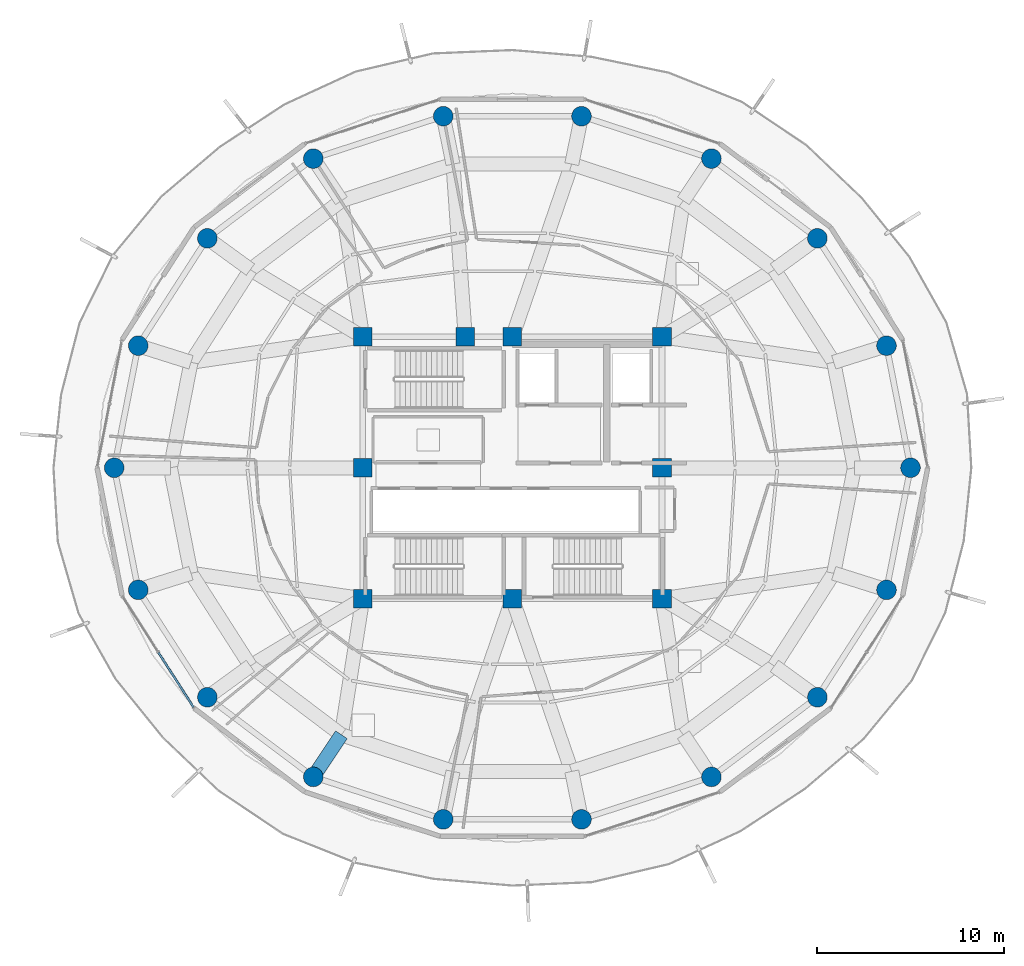
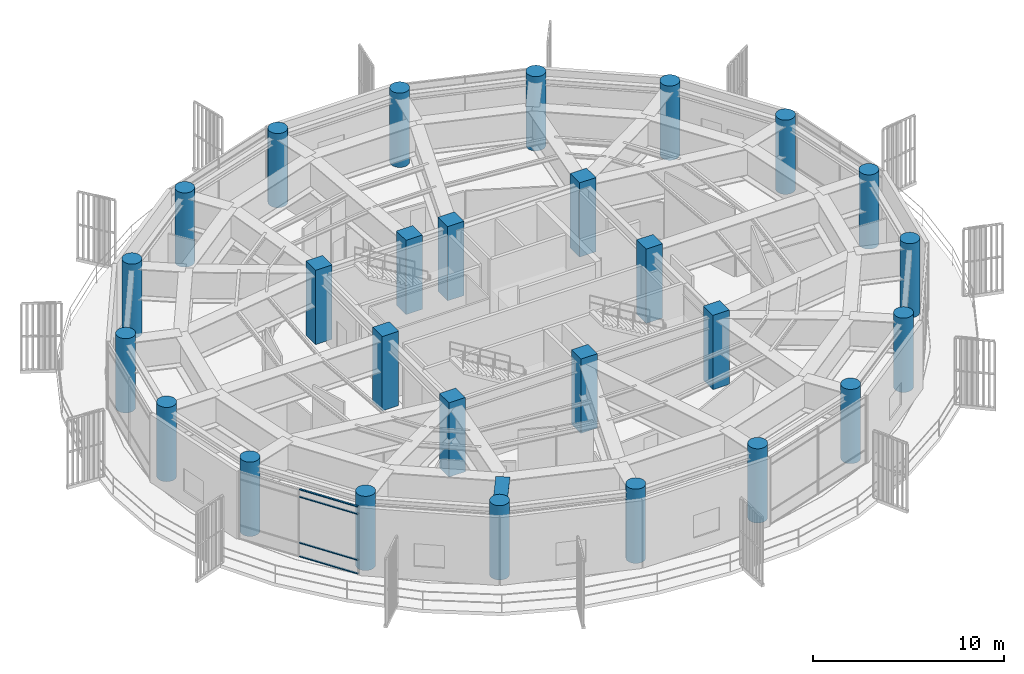
# One storey, part 1 of 29: 27 columns, 4 members, 1 beam, 1 element without a shape of its own.
"""IFC4 building model written with IfcOpenShell, lengths in metres."""

import ifcopenshell
import ifcopenshell.guid

model = None  # the IFC model being written
_history = None  # IfcOwnerHistory: only IFC2X3 demands one
_inside = {}  # id of a spatial element -> (the spatial element, [elements in it])
_under = {}  # id of a project, library or spatial element -> (it, [spatial elements below it])
_declared = {}  # id of a project -> (the project, [libraries it declares])
_typed = {}  # id of a type object -> (the type object, [elements of that type])
_made_of = {}  # id of a material, layer set ... -> (it, [elements and type objects made of it])


def new_model(schema):
    """Start an empty IFC model of exactly this schema.

    Asked for "IFC4X3", IfcOpenShell would pick the latest addendum, in which some entities
    have other attributes; the version numbers below select the first issue.
    IFC2X3 requires an IfcOwnerHistory on every rooted entity: one is made here for all.
    """
    global model, _history
    if schema == "IFC4X3":
        model = ifcopenshell.file(schema_version=(4, 3, 0, 0))
    else:
        model = ifcopenshell.file(schema=schema)
    _inside.clear()
    _under.clear()
    _declared.clear()
    _typed.clear()
    _made_of.clear()
    _history = None
    if model.schema == "IFC2X3":
        org = make("IfcOrganization", Name="unknown")
        user = make(
            "IfcPersonAndOrganization",
            ThePerson=make("IfcPerson", FamilyName="unknown"),
            TheOrganization=org,
        )
        app = make(
            "IfcApplication",
            ApplicationDeveloper=org,
            Version="unknown",
            ApplicationFullName="unknown",
            ApplicationIdentifier="unknown",
        )
        _history = make(
            "IfcOwnerHistory",
            OwningUser=user,
            OwningApplication=app,
            ChangeAction="ADDED",
            CreationDate=0,
        )
    return model


def make(cls, **values):
    """One entity of the class cls with the attributes given. An attribute that is None is left unset."""
    return model.create_entity(
        cls, **{name: value for name, value in values.items() if value is not None}
    )


def rooted(cls, **values):
    """An entity with a GlobalId (a new one), such as an element, a storey or a relation."""
    return make(cls, GlobalId=ifcopenshell.guid.new(), OwnerHistory=_history, **values)


def si_unit(unit_type, name, prefix=None):
    """IfcSIUnit, for example si_unit("LENGTHUNIT", "METRE", prefix="MILLI")."""
    return make("IfcSIUnit", UnitType=unit_type, Prefix=prefix, Name=name)


def assignment(units):
    """IfcUnitAssignment: the units of a project."""
    return None if units is None else make("IfcUnitAssignment", Units=units)


def point(xyz):
    """IfcCartesianPoint."""
    return None if xyz is None else make("IfcCartesianPoint", Coordinates=xyz)


def direction(xyz):
    """IfcDirection."""
    return None if xyz is None else make("IfcDirection", DirectionRatios=xyz)


def frame(location, z_axis=None, x_axis=None):
    """IfcAxis2Placement3D, a coordinate frame: its origin and axes. An axis left out is left unset."""
    return make(
        "IfcAxis2Placement3D",
        Location=point(location),
        Axis=direction(z_axis),
        RefDirection=direction(x_axis),
    )


def frame_2d(location, x_axis=None):
    """IfcAxis2Placement2D, a coordinate frame in the plane: its origin and x axis."""
    return make(
        "IfcAxis2Placement2D", Location=point(location), RefDirection=direction(x_axis)
    )


def origin():
    """The frame at (0, 0, 0) with its axes left unset."""
    return frame((0.0, 0.0, 0.0))


def origin_2d():
    """The frame at (0, 0) in the plane with its x axis left unset."""
    return frame_2d((0.0, 0.0))


def place(relative_to, where):
    """IfcLocalPlacement: puts the frame where relative to a parent placement (None: the world)."""
    return make(
        "IfcLocalPlacement", PlacementRelTo=relative_to, RelativePlacement=where
    )


def context(
    kind, dimensions, precision=None, world=None, true_north=None, identifier=None
):
    """IfcGeometricRepresentationContext, for example the 3D "Model" context."""
    return make(
        "IfcGeometricRepresentationContext",
        ContextIdentifier=identifier,
        ContextType=kind,
        CoordinateSpaceDimension=dimensions,
        Precision=precision,
        WorldCoordinateSystem=world,
        TrueNorth=true_north,
    )


def subcontext(parent, identifier, kind, view, scale=None):
    """IfcGeometricRepresentationSubContext, for example "Body" below "Model"."""
    return make(
        "IfcGeometricRepresentationSubContext",
        ContextIdentifier=identifier,
        ContextType=kind,
        ParentContext=parent,
        TargetScale=scale,
        TargetView=view,
    )


def project(units=None, contexts=None):
    """IfcProject with its units and contexts."""
    return rooted(
        "IfcProject",
        Name="project",
        RepresentationContexts=contexts,
        UnitsInContext=assignment(units),
    )


def spatial(cls, under=None, at=None, **own):
    """A site, building, storey or space (cls), placed at a placement, below another one or the project."""
    s = rooted(cls, ObjectPlacement=at, **own)
    if under is not None:
        _under.setdefault(under.id(), (under, []))[1].append(s)
    return s


def profile(cls, at=None, kind="AREA", **sizes):
    """A parametric profile (cls). Its sizes go by their IFC names, for example OverallWidth=200.0."""
    return make(cls, ProfileType=kind, Position=at, **sizes)


def rectangle(**sizes):
    """IfcRectangleProfileDef."""
    return profile("IfcRectangleProfileDef", **sizes)


def hollow_rectangle(**sizes):
    """IfcRectangleHollowProfileDef."""
    return profile("IfcRectangleHollowProfileDef", **sizes)


def circle(**sizes):
    """IfcCircleProfileDef."""
    return profile("IfcCircleProfileDef", **sizes)


def i_section(**sizes):
    """IfcIShapeProfileDef."""
    return profile("IfcIShapeProfileDef", **sizes)


def extrude(swept, where, along, depth):
    """IfcExtrudedAreaSolid: the profile swept, set in the frame where, extruded along a direction by depth."""
    return make(
        "IfcExtrudedAreaSolid",
        SweptArea=swept,
        Position=where,
        ExtrudedDirection=direction(along),
        Depth=depth,
    )


def shape(context_of_items, identifier, shape_type, items):
    """IfcShapeRepresentation: the items that make up one representation, for example the "Body"."""
    return make(
        "IfcShapeRepresentation",
        ContextOfItems=context_of_items,
        RepresentationIdentifier=identifier,
        RepresentationType=shape_type,
        Items=items,
    )


def material(Name=None, Category=None):
    """IfcMaterial."""
    return make("IfcMaterial", Name=Name, Category=Category)


def layer(
    of_material, thickness, ventilated=None, Name=None, Category=None, Priority=None
):
    """IfcMaterialLayer: one layer of a wall or slab, of a material (None: an air gap)."""
    return make(
        "IfcMaterialLayer",
        Material=of_material,
        LayerThickness=thickness,
        IsVentilated=ventilated,
        Name=Name,
        Category=Category,
        Priority=Priority,
    )


def layer_set(layers, Name=None):
    """IfcMaterialLayerSet."""
    return make("IfcMaterialLayerSet", MaterialLayers=layers, LayerSetName=Name)


def material_profile(
    of_material, cross_section, Name=None, Category=None, Priority=None
):
    """IfcMaterialProfile: a cross section and its material."""
    return make(
        "IfcMaterialProfile",
        Name=Name,
        Material=of_material,
        Profile=cross_section,
        Priority=Priority,
        Category=Category,
    )


def profile_set(profiles, Name=None, composite=None):
    """IfcMaterialProfileSet."""
    return make(
        "IfcMaterialProfileSet",
        Name=Name,
        MaterialProfiles=profiles,
        CompositeProfile=composite,
    )


def made_of(thing, what):
    """Note that an element or type object is made of a material, layer set ...; save() writes the relation."""
    if what is not None:
        _made_of.setdefault(what.id(), (what, []))[1].append(thing)
    return thing


def type_object(cls, material=None, **own):
    """A type object (cls), such as IfcWallType, which elements share."""
    return made_of(rooted(cls, **own), material)


def element(
    cls,
    number,
    at=None,
    inside=None,
    cuts=None,
    type_object=None,
    material=None,
    context=None,
    identifier="Body",
    shape_type=None,
    held_by="IfcProductDefinitionShape",
    body=None,
    shapes=None,
    **own,
):
    """One element of the class cls, such as IfcWall. Its Tag is "e" and its number.

    at: its placement. inside: the storey or other place that contains it. cuts: it is an
    opening in that element (IfcRelVoidsElement). A single representation is given by context,
    identifier, shape_type and body (its items); several are given by shapes. held_by: the class
    of the entity that holds the representations. save() writes the other relations.
    """
    e = rooted(cls, Tag="e%d" % number, ObjectPlacement=at, **own)
    if body is not None:
        shapes = [shape(context, identifier, shape_type, body)]
    if shapes is not None:
        e.Representation = make(held_by, Representations=shapes)
    if inside is not None:
        _inside.setdefault(inside.id(), (inside, []))[1].append(e)
    if cuts is not None:
        rooted(
            "IfcRelVoidsElement", RelatingBuildingElement=cuts, RelatedOpeningElement=e
        )
    if type_object is not None:
        _typed.setdefault(type_object.id(), (type_object, []))[1].append(e)
    return made_of(e, material)


def aggregate(whole, parts):
    """IfcRelAggregates: a whole, such as a stair, and the parts it consists of."""
    return rooted("IfcRelAggregates", RelatingObject=whole, RelatedObjects=parts)


def save(model, path):
    """Write the relations noted so far, then the file.

    IfcRelAggregates (storeys below a building ...), IfcRelContainedInSpatialStructure (elements
    in a storey), IfcRelDefinesByType, IfcRelAssociatesMaterial and IfcRelDeclares: one each for
    every whole, place, type object, material and project.
    """
    for whole, parts in _under.values():
        aggregate(whole, parts)
    for where, things in _inside.values():
        rooted(
            "IfcRelContainedInSpatialStructure",
            RelatedElements=things,
            RelatingStructure=where,
        )
    for kind, things in _typed.values():
        rooted("IfcRelDefinesByType", RelatedObjects=things, RelatingType=kind)
    for what, things in _made_of.values():
        rooted("IfcRelAssociatesMaterial", RelatedObjects=things, RelatingMaterial=what)
    for by, libraries in _declared.values():
        rooted("IfcRelDeclares", RelatingContext=by, RelatedDefinitions=libraries)
    model.write(path)


model = new_model("IFC4")

# Units and contexts
model_context = context("Model", 3, precision=1e-05, world=origin(), true_north=direction((0.0, 1.0)))
body_context = subcontext(model_context, "Body", "Model", "MODEL_VIEW")
ifc_project = project(units=[si_unit("LENGTHUNIT", "METRE"), si_unit("AREAUNIT", "SQUARE_METRE"), si_unit("VOLUMEUNIT", "CUBIC_METRE"), si_unit("PLANEANGLEUNIT", "RADIAN"), si_unit("MASSUNIT", "GRAM", prefix="KILO")], contexts=[model_context])

# Site, building, storey
site_placement = place(None, origin())
site = spatial("IfcSite", under=ifc_project, at=site_placement, CompositionType="ELEMENT")
building_placement = place(site_placement, origin())
building = spatial("IfcBuilding", under=site, at=building_placement, Name="Kelanora Arch Commons", CompositionType="ELEMENT")
storey_placement = place(building_placement, frame((0.0, 0.0, 238.199951171875)))
storey = spatial("IfcBuildingStorey", under=building, at=storey_placement, Name="L61", CompositionType="ELEMENT", Elevation=238.199951171875)

# Columns
ifc_material_1 = material(Name="Concrete C50/60", Category="concrete")
ifc_material_profile_1 = material_profile(ifc_material_1, circle(Radius=0.52490234375, at=origin_2d()), Name="RCC1050")
ifc_profile_set_1 = profile_set([ifc_material_profile_1], Name="Concrete C50/60")
column_type_1 = type_object("IfcColumnType", Name="COL-PERIM-Z4", PredefinedType="COLUMN", material=ifc_profile_set_1)
for number, where, z_axis, x_axis, name in (
    (1, (95.280029296875, 58.0, 0.0), (0.0, 0.0, 1.0), (1.0, 0.0, 0.0), "Perimeter Ring Column CP-00 L61"),
    (2, (93.99658203125, 64.525634765625, 0.0), (0.0, 0.0, 1.0), (1.0, 0.0, 0.0), "Perimeter Ring Column CP-02 L61"),
    (3, (90.301513671875, 70.264404296875, 0.0), (0.0, 0.0, 1.0), (1.0, 0.0, 0.0), "Perimeter Ring Column CP-04 L61"),
    (4, (84.639892578125, 74.523681640625, 0.0), (0.0, 0.0, 1.0), (1.0, 0.0, 0.0), "Perimeter Ring Column CP-06 L61"),
    (5, (77.6953125, 76.7900390625, 0.0), (0.0, 0.0, 1.0), (1.0, 0.0, 0.0), "Perimeter Ring Column CP-08 L61"),
    (6, (70.3046875, 76.7900390625, 0.0), (0.0, 0.0, 1.0), (1.0, 0.0, 0.0), "Perimeter Ring Column CP-10 L61"),
    (7, (63.360107421875, 74.523681640625, 0.0), (0.0, 0.0, 1.0), (1.0, 0.0, 0.0), "Perimeter Ring Column CP-12 L61"),
    (8, (57.698486328125, 70.264404296875, 0.0), (0.0, 0.0, 1.0), (1.0, 0.0, 0.0), "Perimeter Ring Column CP-14 L61"),
    (9, (54.00341796875, 64.525634765625, 0.0), (0.0, 0.0, 1.0), (1.0, 0.0, 0.0), "Perimeter Ring Column CP-16 L61"),
    (10, (52.719970703125, 58.0, 0.0), (0.0, 0.0, 1.0), (1.0, 0.0, 0.0), "Perimeter Ring Column CP-18 L61"),
    (11, (54.00341796875, 51.474365234375, 0.0), (0.0, 0.0, 1.0), (1.0, 0.0, 0.0), "Perimeter Ring Column CP-20 L61"),
    (12, (57.698486328125, 45.735595703125, 0.0), (0.0, 0.0, 1.0), (1.0, 0.0, 0.0), "Perimeter Ring Column CP-22 L61"),
    (13, (63.360107421875, 41.476318359375, 0.0), (0.0, 0.0, 1.0), (1.0, 0.0, 0.0), "Perimeter Ring Column CP-24 L61"),
    (14, (70.3046875, 39.2099609375, 0.0), (0.0, 0.0, 1.0), (1.0, 0.0, 0.0), "Perimeter Ring Column CP-26 L61"),
    (15, (77.6953125, 39.2099609375, 0.0), (0.0, 0.0, 1.0), (1.0, 0.0, 0.0), "Perimeter Ring Column CP-28 L61"),
    (16, (84.639892578125, 41.476318359375, 0.0), (0.0, 0.0, 1.0), (1.0, 0.0, 0.0), "Perimeter Ring Column CP-30 L61"),
    (17, (90.301513671875, 45.735595703125, 0.0), (0.0, 0.0, 1.0), (1.0, 0.0, 0.0), "Perimeter Ring Column CP-32 L61"),
    (18, (93.99658203125, 51.474365234375, 0.0), (0.0, 0.0, 1.0), (1.0, 0.0, 0.0), "Perimeter Ring Column CP-34 L61"),
):
    element("IfcColumn", number, at=place(storey_placement, frame(where, z_axis=z_axis, x_axis=x_axis)), inside=storey, type_object=column_type_1, Name=name, PredefinedType="COLUMN", context=body_context, shape_type="SweptSolid", body=[
        extrude(circle(Radius=0.52490234375, at=origin_2d()), origin(), (0.0, 0.0, 1.0), 4.760009765625),
    ])
ifc_material_profile_2 = material_profile(ifc_material_1, rectangle(XDim=1.0, YDim=1.0, at=origin_2d()), Name="RC1000x1000")
ifc_profile_set_2 = profile_set([ifc_material_profile_2], Name="Concrete C50/60")
column_type_2 = type_object("IfcColumnType", Name="COL-PIL-HIGH", PredefinedType="PILASTER", material=ifc_profile_set_2)
for number, where, z_axis, x_axis, name in (
    (19, (66.0, 51.0, 0.0), (0.0, 0.0, 1.0), (1.0, 0.0, 0.0), "Core Pilaster Column CP1 L61"),
    (20, (74.0, 51.0, 0.0), (0.0, 0.0, 1.0), (1.0, 0.0, 0.0), "Core Pilaster Column CP2 L61"),
    (21, (82.0, 51.0, 0.0), (0.0, 0.0, 1.0), (1.0, 0.0, 0.0), "Core Pilaster Column CP3 L61"),
    (22, (82.0, 58.0, 0.0), (0.0, 0.0, 1.0), (1.0, 0.0, 0.0), "Core Pilaster Column CP4 L61"),
    (23, (82.0, 65.0, 0.0), (0.0, 0.0, 1.0), (1.0, 0.0, 0.0), "Core Pilaster Column CP5 L61"),
    (24, (74.0, 65.0, 0.0), (0.0, 0.0, 1.0), (1.0, 0.0, 0.0), "Core Pilaster Column CP6 L61"),
    (25, (71.47998046875, 65.0, 0.0), (0.0, 0.0, 1.0), (1.0, 0.0, 0.0), "Core Pilaster Column CP9 L61"),
    (26, (66.0, 65.0, 0.0), (0.0, 0.0, 1.0), (1.0, 0.0, 0.0), "Core Pilaster Column CP7 L61"),
    (27, (66.0, 58.0, 0.0), (0.0, 0.0, 1.0), (1.0, 0.0, 0.0), "Core Pilaster Column CP8 L61"),
):
    element("IfcColumn", number, at=place(storey_placement, frame(where, z_axis=z_axis, x_axis=x_axis)), inside=storey, type_object=column_type_2, Name=name, PredefinedType="PILASTER", context=body_context, shape_type="SweptSolid", body=[
        extrude(rectangle(XDim=1.0, YDim=1.0, at=origin_2d()), origin(), (0.0, 0.0, 1.0), 4.760009765625),
    ])

# Beam
ifc_material_2 = material(Name="Steel S355", Category="steel")
ifc_material_profile_3 = material_profile(ifc_material_2, i_section(OverallWidth=0.75, OverallDepth=2.0, WebThickness=0.034912109375, FlangeThickness=0.06005859375, FilletRadius=0.028076171875, at=origin_2d()), Name="PG2000x750")
ifc_profile_set_3 = profile_set([ifc_material_profile_3], Name="Steel S355")
beam_type = type_object("IfcBeamType", Name="BM-XFER-SET", PredefinedType="USERDEFINED", material=ifc_profile_set_3)
beam_placement = place(storey_placement, frame((64.860107421875, 43.727783203125, 3.360107421875), z_axis=(-0.554450268741, -0.832216858453, 0.0), x_axis=(0.832216858453, -0.554450268741, 0.0)))
element("IfcBeam", 28, at=beam_placement, inside=storey, type_object=beam_type, Name="Radial Floor Girder BR-24 L61", ObjectType="TRANSFER_GIRDER", PredefinedType="USERDEFINED", context=body_context, shape_type="SweptSolid", body=[
    extrude(i_section(OverallWidth=0.75, OverallDepth=2.0, WebThickness=0.034912109375, FlangeThickness=0.06005859375, FilletRadius=0.028076171875, at=origin_2d()), origin(), (0.0, 0.0, 1.0), 2.705322265625),
])

# Curtain wall, members
ifc_material_3 = material(Name="Terracotta ceramic-fritted low-E glass and aluminium", Category="masonry")
ifc_layer = layer(ifc_material_3, 0.175048828125)
ifc_layer_set = layer_set([ifc_layer], Name="Terracotta ceramic-fritted low-E glass and aluminium")
curtain_wall_type = type_object("IfcCurtainWallType", Name="CW-SYS-02", PredefinedType="NOTDEFINED", material=ifc_layer_set)
curtain_wall_placement = place(storey_placement, origin())
curtain_wall = element("IfcCurtainWall", 29, at=curtain_wall_placement, inside=storey, type_object=curtain_wall_type, Name="Unitised Curtain Wall L61-B10", PredefinedType="NOTDEFINED")
ifc_material_4 = material(Name="Powder-coated aluminium terracotta", Category="masonry")
ifc_material_profile_4 = material_profile(ifc_material_4, hollow_rectangle(XDim=0.1201171875, YDim=0.06005859375, WallThickness=0.0048828125, InnerFilletRadius=0.0048828125, OuterFilletRadius=0.010009765625, at=origin_2d()), Name="CWT120x60")
ifc_profile_set_4 = profile_set([ifc_material_profile_4], Name="Powder-coated aluminium terracotta")
member_type = type_object("IfcMemberType", Name="CWT-STD", PredefinedType="USERDEFINED", material=ifc_profile_set_4)
member_1_placement = place(storey_placement, frame((55.08251953125, 48.126708984375, 0.030029296875), z_axis=(0.53954710894, -0.841955412854, 0.0), x_axis=(0.841955412854, 0.53954710894, 0.0)))
member_1 = element("IfcMember", 30, at=member_1_placement, type_object=member_type, Name="CW-02 transom 2.1", ObjectType="TRANSOM", PredefinedType="USERDEFINED", context=body_context, shape_type="SweptSolid", body=[
    extrude(hollow_rectangle(XDim=0.1201171875, YDim=0.06005859375, WallThickness=0.0048828125, InnerFilletRadius=0.0048828125, OuterFilletRadius=0.010009765625, at=origin_2d()), origin(), (0.0, 0.0, 1.0), 3.467529296875),
])
member_2_placement = place(storey_placement, frame((55.08251953125, 48.126708984375, 0.900146484375), z_axis=(0.53954710894, -0.841955412854, 0.0), x_axis=(0.841955412854, 0.53954710894, 0.0)))
member_2 = element("IfcMember", 31, at=member_2_placement, type_object=member_type, Name="CW-02 transom 2.2", ObjectType="TRANSOM", PredefinedType="USERDEFINED", context=body_context, shape_type="SweptSolid", body=[
    extrude(hollow_rectangle(XDim=0.1201171875, YDim=0.06005859375, WallThickness=0.0048828125, InnerFilletRadius=0.0048828125, OuterFilletRadius=0.010009765625, at=origin_2d()), origin(), (0.0, 0.0, 1.0), 3.467529296875),
])
member_3_placement = place(storey_placement, frame((55.08251953125, 48.126708984375, 3.844970703125), z_axis=(0.53954710894, -0.841955412854, 0.0), x_axis=(0.841955412854, 0.53954710894, 0.0)))
member_3 = element("IfcMember", 32, at=member_3_placement, type_object=member_type, Name="CW-02 transom 2.3", ObjectType="TRANSOM", PredefinedType="USERDEFINED", context=body_context, shape_type="SweptSolid", body=[
    extrude(hollow_rectangle(XDim=0.1201171875, YDim=0.06005859375, WallThickness=0.0048828125, InnerFilletRadius=0.0048828125, OuterFilletRadius=0.010009765625, at=origin_2d()), origin(), (0.0, 0.0, 1.0), 3.467529296875),
])
member_4_placement = place(storey_placement, frame((55.08251953125, 48.126708984375, 4.31494140625), z_axis=(0.53954710894, -0.841955412854, 0.0), x_axis=(0.841955412854, 0.53954710894, 0.0)))
member_4 = element("IfcMember", 33, at=member_4_placement, type_object=member_type, Name="CW-02 transom 2.4", ObjectType="TRANSOM", PredefinedType="USERDEFINED", context=body_context, shape_type="SweptSolid", body=[
    extrude(hollow_rectangle(XDim=0.1201171875, YDim=0.06005859375, WallThickness=0.0048828125, InnerFilletRadius=0.0048828125, OuterFilletRadius=0.010009765625, at=origin_2d()), origin(), (0.0, 0.0, 1.0), 3.467529296875),
])
aggregate(curtain_wall, [member_1, member_2, member_3, member_4])

save(model, "model.ifc")
